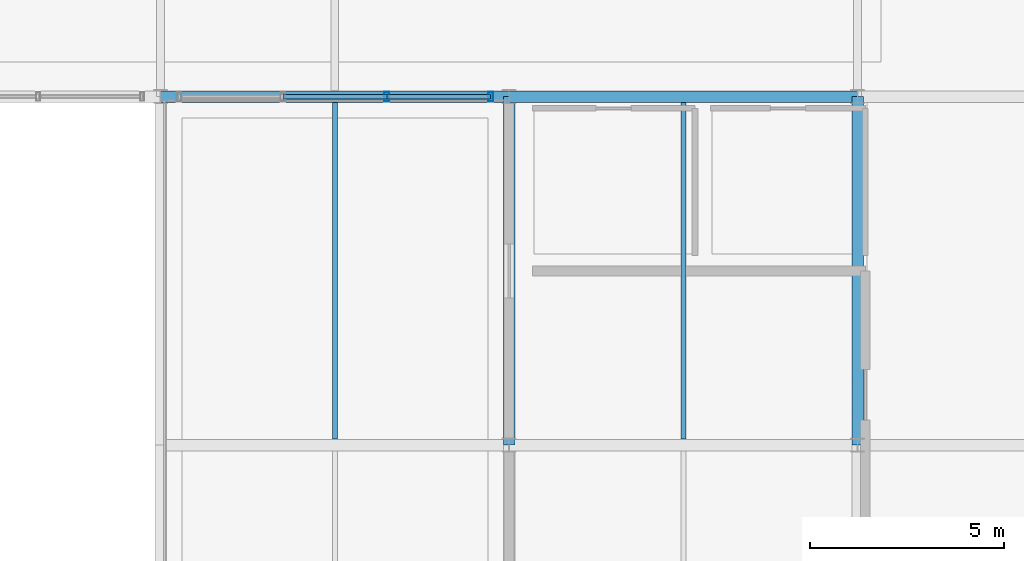
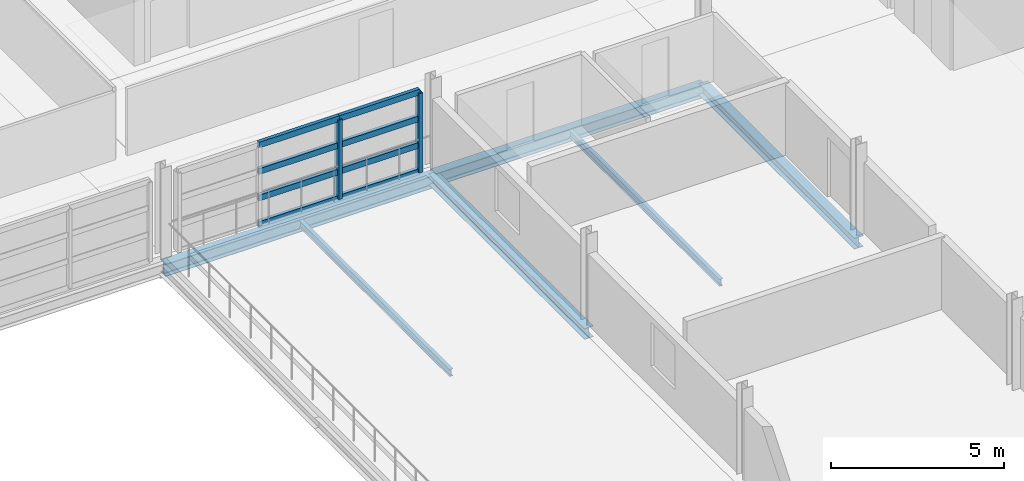
# One storey, part 12 of 30: 10 members, 6 beams, 1 element without a shape of its own.
"""IFC4 building model written with IfcOpenShell, lengths in metres."""

from ifc_helpers import new_model, si_unit, direction, frame, origin, origin_2d, place, context, subcontext, project, spatial, hollow_rectangle, i_section, extrude, material, material_profile, profile_set, type_object, element, aggregate, save


model = new_model("IFC4")

# Units and contexts
model_context = context("Model", 3, precision=1e-05, world=origin(), true_north=direction((0.0, 1.0)))
body_context = subcontext(model_context, "Body", "Model", "MODEL_VIEW")
ifc_project = project(units=[si_unit("LENGTHUNIT", "METRE"), si_unit("AREAUNIT", "SQUARE_METRE"), si_unit("VOLUMEUNIT", "CUBIC_METRE"), si_unit("PLANEANGLEUNIT", "RADIAN"), si_unit("MASSUNIT", "GRAM", prefix="KILO")], contexts=[model_context])

# Site, building, storey
site_placement = place(None, origin())
site = spatial("IfcSite", under=ifc_project, at=site_placement, CompositionType="ELEMENT")
building_placement = place(site_placement, origin())
building = spatial("IfcBuilding", under=site, at=building_placement, Name="Chuanluo Vaults Station", CompositionType="ELEMENT")
storey_placement = place(building_placement, frame((0.0, 0.0, 17.60009765625)))
storey = spatial("IfcBuildingStorey", under=building, at=storey_placement, Name="L04", CompositionType="ELEMENT", Elevation=17.60009765625)

# Beams
ifc_material_1 = material(Name="Steel Q355C", Category="steel")
ifc_material_profile_1 = material_profile(ifc_material_1, i_section(OverallWidth=0.300048828125, OverallDepth=0.389892578125, WebThickness=0.010009765625, FlangeThickness=0.01611328125, FilletRadius=0.02001953125, at=origin_2d()))
ifc_profile_set_1 = profile_set([ifc_material_profile_1], Name="Steel Q355C")
beam_type_1 = type_object("IfcBeamType", Name="BM-GRD-400", PredefinedType="BEAM", material=ifc_profile_set_1)
for number, where, z_axis, x_axis, name in (
    (1, (154.0, 94.5, -0.425048828125), (0.0, 1.0, 0.0), (-1.0, 0.0, 0.0), "Floor girder BM:GY:L04:0922"),
    (2, (163.0, 94.5, -0.39501953125), (0.0, 1.0, 0.0), (-1.0, 0.0, 0.0), "Floor girder BM:GY:L04:0930"),
):
    element("IfcBeam", number, at=place(storey_placement, frame(where, z_axis=z_axis, x_axis=x_axis)), inside=storey, type_object=beam_type_1, Name=name, PredefinedType="BEAM", context=body_context, shape_type="SweptSolid", body=[
        extrude(i_section(OverallWidth=0.300048828125, OverallDepth=0.389892578125, WebThickness=0.010009765625, FlangeThickness=0.01611328125, FilletRadius=0.02001953125, at=origin_2d()), origin(), (0.0, 0.0, 1.0), 9.0),
    ])
ifc_material_2 = material(Name="Steel Q355C", Category="steel")
ifc_material_profile_2 = material_profile(ifc_material_2, i_section(OverallWidth=0.300048828125, OverallDepth=0.43994140625, WebThickness=0.010986328125, FlangeThickness=0.01806640625, FilletRadius=0.02001953125, at=origin_2d()))
ifc_profile_set_2 = profile_set([ifc_material_profile_2], Name="Steel Q355C")
beam_type_2 = type_object("IfcBeamType", Name="BM-GRD-450", PredefinedType="USERDEFINED", material=ifc_profile_set_2)
for number, where, z_axis, x_axis, name in (
    (3, (145.0, 103.5, -0.4501953125), (1.0, 0.0, 0.0), (0.0, 1.0, 0.0), "Floor girder BM:GX:L04:0878"),
    (4, (154.0, 103.5, -0.420166015625), (1.0, 0.0, 0.0), (0.0, 1.0, 0.0), "Floor girder BM:GX:L04:0879"),
):
    element("IfcBeam", number, at=place(storey_placement, frame(where, z_axis=z_axis, x_axis=x_axis)), inside=storey, type_object=beam_type_2, Name=name, ObjectType="GIRDER", PredefinedType="USERDEFINED", context=body_context, shape_type="SweptSolid", body=[
        extrude(i_section(OverallWidth=0.300048828125, OverallDepth=0.43994140625, WebThickness=0.010986328125, FlangeThickness=0.01806640625, FilletRadius=0.02001953125, at=origin_2d()), origin(), (0.0, 0.0, 1.0), 9.0),
    ])
ifc_material_3 = material(Name="Steel Q355C", Category="steel")
ifc_material_profile_3 = material_profile(ifc_material_3, i_section(OverallWidth=0.125, OverallDepth=0.25, WebThickness=0.006103515625, FlangeThickness=0.009033203125, FilletRadius=0.011962890625, at=origin_2d()))
ifc_profile_set_3 = profile_set([ifc_material_profile_3], Name="Steel Q355C")
beam_type_3 = type_object("IfcBeamType", Name="BM-SEC-250", PredefinedType="JOIST", material=ifc_profile_set_3)
for number, where, z_axis, x_axis, name in (
    (5, (149.5, 94.655029296875, -0.35498046875), (0.0, 1.0, 0.0), (-1.0, 0.0, 0.0), "Composite secondary joist 0274"),
    (6, (158.5, 94.655029296875, -0.3251953125), (0.0, 1.0, 0.0), (-1.0, 0.0, 0.0), "Composite secondary joist 0283"),
):
    element("IfcBeam", number, at=place(storey_placement, frame(where, z_axis=z_axis, x_axis=x_axis)), inside=storey, type_object=beam_type_3, Name=name, PredefinedType="JOIST", context=body_context, shape_type="SweptSolid", body=[
        extrude(i_section(OverallWidth=0.125, OverallDepth=0.25, WebThickness=0.006103515625, FlangeThickness=0.009033203125, FilletRadius=0.011962890625, at=origin_2d()), origin(), (0.0, 0.0, 1.0), 8.68994140625),
    ])

# Curtain wall, members
ifc_material_4 = material(Name="Anodised aluminium 6063-T6", Category="aluminium")
curtain_wall_type = type_object("IfcCurtainWallType", Name="CW-SYS-11", PredefinedType="NOTDEFINED", material=ifc_material_4)
curtain_wall_placement = place(storey_placement, origin())
curtain_wall = element("IfcCurtainWall", 7, at=curtain_wall_placement, inside=storey, type_object=curtain_wall_type, Name="Operations L04 facade CW", PredefinedType="NOTDEFINED")
ifc_material_5 = material(Name="Anodised aluminium 6063-T6", Category="aluminium")
ifc_material_profile_4 = material_profile(ifc_material_5, hollow_rectangle(XDim=0.1201171875, YDim=0.25, WallThickness=0.006103515625, at=origin_2d()))
ifc_profile_set_4 = profile_set([ifc_material_profile_4], Name="Anodised aluminium 6063-T6")
member_type_1 = type_object("IfcMemberType", Name="CWM-160", PredefinedType="MULLION", material=ifc_profile_set_4)
member_1_placement = place(storey_placement, frame((153.52490234375, 103.5, 0.0), z_axis=(0.0, 0.0, 1.0), x_axis=(-1.0, 0.0, 0.0)))
member_1 = element("IfcMember", 8, at=member_1_placement, type_object=member_type_1, Name="Operations L04 facade CW mullion 1", PredefinedType="MULLION", context=body_context, shape_type="SweptSolid", body=[
    extrude(hollow_rectangle(XDim=0.1201171875, YDim=0.25, WallThickness=0.006103515625, at=origin_2d()), origin(), (0.0, 0.0, 1.0), 2.7998046875),
])
member_2_placement = place(storey_placement, frame((150.841796875, 103.5, 0.0), z_axis=(0.0, 0.0, 1.0), x_axis=(-1.0, 0.0, 0.0)))
member_2 = element("IfcMember", 9, at=member_2_placement, type_object=member_type_1, Name="Operations L04 facade CW mullion 2", PredefinedType="MULLION", context=body_context, shape_type="SweptSolid", body=[
    extrude(hollow_rectangle(XDim=0.1201171875, YDim=0.25, WallThickness=0.006103515625, at=origin_2d()), origin(), (0.0, 0.0, 1.0), 2.7998046875),
])
ifc_material_6 = material(Name="Anodised aluminium 6063-T6", Category="aluminium")
ifc_material_profile_5 = material_profile(ifc_material_6, hollow_rectangle(XDim=0.1201171875, YDim=0.205078125, WallThickness=0.006103515625, at=origin_2d()))
ifc_profile_set_5 = profile_set([ifc_material_profile_5], Name="Anodised aluminium 6063-T6")
member_type_2 = type_object("IfcMemberType", Name="CWT-130", PredefinedType="USERDEFINED", material=ifc_profile_set_5)
member_3_placement = place(storey_placement, frame((153.52490234375, 103.5, 0.0), z_axis=(-1.0, 0.0, 0.0), x_axis=(0.0, -1.0, 0.0)))
member_3 = element("IfcMember", 10, at=member_3_placement, type_object=member_type_2, Name="Operations L04 facade CW transom 1.1", ObjectType="TRANSOM", PredefinedType="USERDEFINED", context=body_context, shape_type="SweptSolid", body=[
    extrude(hollow_rectangle(XDim=0.1201171875, YDim=0.205078125, WallThickness=0.006103515625, at=origin_2d()), origin(), (0.0, 0.0, 1.0), 2.68310546875),
])
member_4_placement = place(storey_placement, frame((153.52490234375, 103.5, 0.93310546875), z_axis=(-1.0, 0.0, 0.0), x_axis=(0.0, -1.0, 0.0)))
member_4 = element("IfcMember", 11, at=member_4_placement, type_object=member_type_2, Name="Operations L04 facade CW transom 1.2", ObjectType="TRANSOM", PredefinedType="USERDEFINED", context=body_context, shape_type="SweptSolid", body=[
    extrude(hollow_rectangle(XDim=0.1201171875, YDim=0.205078125, WallThickness=0.006103515625, at=origin_2d()), origin(), (0.0, 0.0, 1.0), 2.68310546875),
])
member_5_placement = place(storey_placement, frame((153.52490234375, 103.5, 1.86669921875), z_axis=(-1.0, 0.0, 0.0), x_axis=(0.0, -1.0, 0.0)))
member_5 = element("IfcMember", 12, at=member_5_placement, type_object=member_type_2, Name="Operations L04 facade CW transom 1.3", ObjectType="TRANSOM", PredefinedType="USERDEFINED", context=body_context, shape_type="SweptSolid", body=[
    extrude(hollow_rectangle(XDim=0.1201171875, YDim=0.205078125, WallThickness=0.006103515625, at=origin_2d()), origin(), (0.0, 0.0, 1.0), 2.68310546875),
])
member_6_placement = place(storey_placement, frame((153.52490234375, 103.5, 2.7998046875), z_axis=(-1.0, 0.0, 0.0), x_axis=(0.0, -1.0, 0.0)))
member_6 = element("IfcMember", 13, at=member_6_placement, type_object=member_type_2, Name="Operations L04 facade CW transom 1.4", ObjectType="TRANSOM", PredefinedType="USERDEFINED", context=body_context, shape_type="SweptSolid", body=[
    extrude(hollow_rectangle(XDim=0.1201171875, YDim=0.205078125, WallThickness=0.006103515625, at=origin_2d()), origin(), (0.0, 0.0, 1.0), 2.68310546875),
])
member_7_placement = place(storey_placement, frame((150.841796875, 103.5, 0.0), z_axis=(-1.0, 0.0, 0.0), x_axis=(0.0, -1.0, 0.0)))
member_7 = element("IfcMember", 14, at=member_7_placement, type_object=member_type_2, Name="Operations L04 facade CW transom 2.1", ObjectType="TRANSOM", PredefinedType="USERDEFINED", context=body_context, shape_type="SweptSolid", body=[
    extrude(hollow_rectangle(XDim=0.1201171875, YDim=0.205078125, WallThickness=0.006103515625, at=origin_2d()), origin(), (0.0, 0.0, 1.0), 2.68359375),
])
member_8_placement = place(storey_placement, frame((150.841796875, 103.5, 0.93310546875), z_axis=(-1.0, 0.0, 0.0), x_axis=(0.0, -1.0, 0.0)))
member_8 = element("IfcMember", 15, at=member_8_placement, type_object=member_type_2, Name="Operations L04 facade CW transom 2.2", ObjectType="TRANSOM", PredefinedType="USERDEFINED", context=body_context, shape_type="SweptSolid", body=[
    extrude(hollow_rectangle(XDim=0.1201171875, YDim=0.205078125, WallThickness=0.006103515625, at=origin_2d()), origin(), (0.0, 0.0, 1.0), 2.68359375),
])
member_9_placement = place(storey_placement, frame((150.841796875, 103.5, 1.86669921875), z_axis=(-1.0, 0.0, 0.0), x_axis=(0.0, -1.0, 0.0)))
member_9 = element("IfcMember", 16, at=member_9_placement, type_object=member_type_2, Name="Operations L04 facade CW transom 2.3", ObjectType="TRANSOM", PredefinedType="USERDEFINED", context=body_context, shape_type="SweptSolid", body=[
    extrude(hollow_rectangle(XDim=0.1201171875, YDim=0.205078125, WallThickness=0.006103515625, at=origin_2d()), origin(), (0.0, 0.0, 1.0), 2.68359375),
])
member_10_placement = place(storey_placement, frame((150.841796875, 103.5, 2.7998046875), z_axis=(-1.0, 0.0, 0.0), x_axis=(0.0, -1.0, 0.0)))
member_10 = element("IfcMember", 17, at=member_10_placement, type_object=member_type_2, Name="Operations L04 facade CW transom 2.4", ObjectType="TRANSOM", PredefinedType="USERDEFINED", context=body_context, shape_type="SweptSolid", body=[
    extrude(hollow_rectangle(XDim=0.1201171875, YDim=0.205078125, WallThickness=0.006103515625, at=origin_2d()), origin(), (0.0, 0.0, 1.0), 2.68359375),
])
aggregate(curtain_wall, [member_1, member_2, member_3, member_4, member_5, member_6, member_7, member_8, member_9, member_10])

save(model, "model.ifc")
